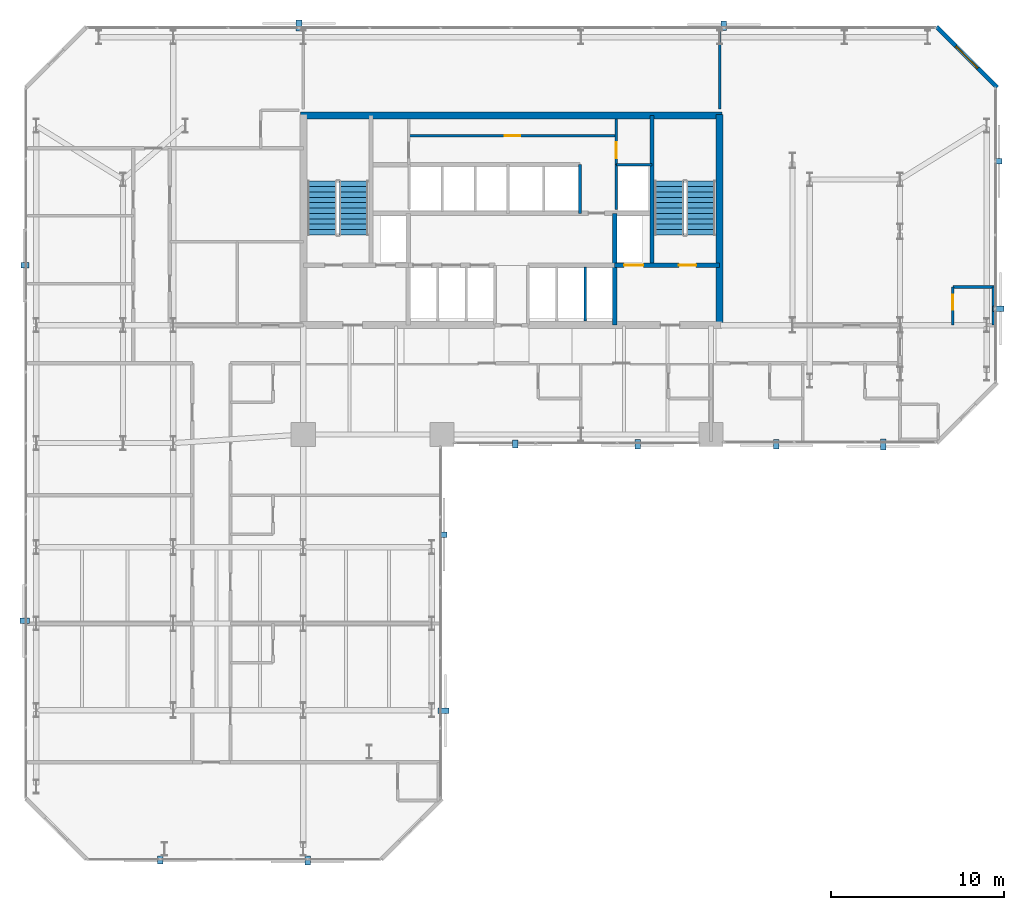
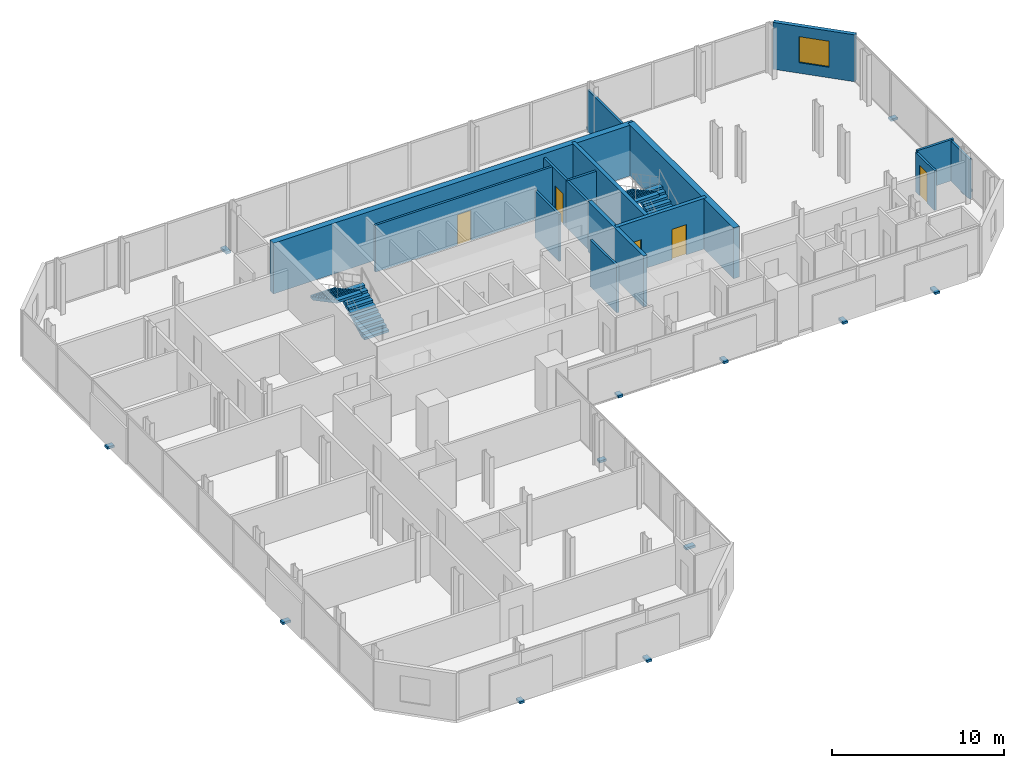
# One storey, part 31 of 33: 16 walls, 14 discrete accessories, 5 doors, 4 stair flights, 1 window, 6 openings, 2 elements without a shape of their own.
"""IFC4 building model written with IfcOpenShell, lengths in metres."""

from ifc_helpers import new_model, si_unit, direction, frame, frame_2d, origin, origin_2d, place, context, subcontext, project, spatial, polyline, rectangle, outline, extrude, material, layer, layer_set, type_object, element, fill, aggregate, save


model = new_model("IFC4")

# Units and contexts
model_context = context("Model", 3, precision=1e-05, world=origin(), true_north=direction((0.0, 1.0)))
body_context = subcontext(model_context, "Body", "Model", "MODEL_VIEW")
ifc_project = project(units=[si_unit("LENGTHUNIT", "METRE"), si_unit("AREAUNIT", "SQUARE_METRE"), si_unit("VOLUMEUNIT", "CUBIC_METRE"), si_unit("PLANEANGLEUNIT", "RADIAN"), si_unit("MASSUNIT", "GRAM", prefix="KILO")], contexts=[model_context])

# Site, building, storey
site_placement = place(None, origin())
site = spatial("IfcSite", under=ifc_project, at=site_placement, CompositionType="ELEMENT")
building_placement = place(site_placement, origin())
building = spatial("IfcBuilding", under=site, at=building_placement, Name="Catumbela Crestline Tower", CompositionType="ELEMENT")
storey_placement = place(building_placement, frame((0.0, 0.0, 58.2)))
storey = spatial("IfcBuildingStorey", under=building, at=storey_placement, Name="L14", CompositionType="ELEMENT", Elevation=58.2)

# Walls
ifc_material_1 = material(Name="Concrete C50/60", Category="concrete")
ifc_layer_1 = layer(ifc_material_1, 0.25, Name="Concrete C50/60")
ifc_layer_set_1 = layer_set([ifc_layer_1], Name="Concrete C50/60")
wall_type_1 = type_object("IfcWallType", Name="CW-250D", PredefinedType="SHEAR", material=ifc_layer_set_1)
wall_1_placement = place(storey_placement, frame((36.1, 34.25, 0.0), z_axis=(0.0, 0.0, 1.0), x_axis=(0.0, 1.0, 0.0)))
element("IfcWall", 1, at=wall_1_placement, inside=storey, type_object=wall_type_1, Name="L14 Structural Core Shear Wall EWEB", PredefinedType="SHEAR", context=body_context, shape_type="SweptSolid", body=[
    extrude(rectangle(XDim=8.65, YDim=0.25, at=frame_2d((4.325, 0.0))), origin(), (0.0, 0.0, 1.0), 3.6),
])
wall_2_placement = place(storey_placement, frame((33.95, 30.8, 0.0), z_axis=(0.0, 0.0, 1.0), x_axis=(0.0, 1.0, 0.0)))
element("IfcWall", 2, at=wall_2_placement, inside=storey, type_object=wall_type_1, Name="L14 Structural Core Shear Wall FFE", PredefinedType="SHEAR", context=body_context, shape_type="SweptSolid", body=[
    extrude(rectangle(XDim=6.45, YDim=0.25, at=frame_2d((3.225, 0.0))), origin(), (0.0, 0.0, 1.0), 3.6),
])

# Wall, openings, doors
wall_3_placement = place(storey_placement, frame((33.95, 34.25, 0.0), z_axis=(0.0, 0.0, 1.0), x_axis=(1.0, 0.0, 0.0)))
wall_3 = element("IfcWall", 3, at=wall_3_placement, inside=storey, type_object=wall_type_1, Name="L14 Structural Core Shear Wall ST2S", PredefinedType="SHEAR", context=body_context, shape_type="SweptSolid", body=[
    extrude(rectangle(XDim=6.05, YDim=0.25, at=frame_2d((3.025, 0.0))), origin(), (0.0, 0.0, 1.0), 3.6),
])
opening_1_placement = place(wall_3_placement, frame((3.7, 0.0, 0.0)))
opening_1 = element("IfcOpeningElement", 4, at=opening_1_placement, cuts=wall_3, Name="Opening DF9-100", PredefinedType="OPENING", context=body_context, shape_type="SweptSolid", body=[
    extrude(rectangle(XDim=1.0, YDim=2.15, at=frame_2d((0.5, 1.075))), frame((0.0, 0.135, 0.0), z_axis=(0.0, -1.0, 0.0), x_axis=(1.0, 0.0, 0.0)), (0.0, 0.0, 1.0), 0.27),
])
opening_2_placement = place(wall_3_placement, frame((0.55, 0.0, 0.0)))
opening_2 = element("IfcOpeningElement", 5, at=opening_2_placement, cuts=wall_3, Name="Opening LD-110", PredefinedType="OPENING", context=body_context, shape_type="SweptSolid", body=[
    extrude(rectangle(XDim=1.1, YDim=2.15, at=frame_2d((0.55, 1.075))), frame((0.0, 0.135, 0.0), z_axis=(0.0, -1.0, 0.0), x_axis=(1.0, 0.0, 0.0)), (0.0, 0.0, 1.0), 0.27),
])
ifc_material_2 = material(Name="Stainless steel EN 1.4401", Category="steel")
door_type_1 = type_object("IfcDoorType", Name="DF9-100", OperationType="NOTDEFINED", PredefinedType="DOOR", material=ifc_material_2)
door_1_placement = place(opening_1_placement, origin())
door_1 = element("IfcDoor", 6, at=door_1_placement, inside=storey, type_object=door_type_1, Name="L14 Interior Door DR-L14-ST02", OperationType="SINGLE_SWING_RIGHT", OverallHeight=2.15, OverallWidth=1.0, PredefinedType="DOOR", context=body_context, shape_type="SweptSolid", body=[
    extrude(rectangle(XDim=1.0, YDim=2.15, at=frame_2d((0.5, 1.075))), frame((0.0, 0.025, 0.0), z_axis=(0.0, -1.0, 0.0), x_axis=(1.0, 0.0, 0.0)), (0.0, 0.0, 1.0), 0.05),
])
fill(opening_1, door_1)
door_type_2 = type_object("IfcDoorType", Name="LD-110", OperationType="NOTDEFINED", PredefinedType="DOOR", material=ifc_material_2)
door_2_placement = place(opening_2_placement, origin())
door_2 = element("IfcDoor", 7, at=door_2_placement, inside=storey, type_object=door_type_2, Name="L14 Lift Landing Sliding Door FL-02", OperationType="DOUBLE_DOOR_SLIDING", OverallHeight=2.15, OverallWidth=1.1, PredefinedType="DOOR", context=body_context, shape_type="SweptSolid", body=[
    extrude(rectangle(XDim=1.1, YDim=2.15, at=frame_2d((0.55, 1.075))), frame((0.0, 0.025, 0.0), z_axis=(0.0, -1.0, 0.0), x_axis=(1.0, 0.0, 0.0)), (0.0, 0.0, 1.0), 0.05),
])
fill(opening_2, door_2)

# Walls
ifc_material_3 = material(Name="Concrete C60/75", Category="concrete")
ifc_layer_2 = layer(ifc_material_3, 0.4, Name="Concrete C60/75")
ifc_layer_set_2 = layer_set([ifc_layer_2], Name="Concrete C60/75")
wall_type_2 = type_object("IfcWallType", Name="CW-400A", PredefinedType="SHEAR", material=ifc_layer_set_2)
wall_4_placement = place(storey_placement, frame((40.0, 30.65, 0.0), z_axis=(0.0, 0.0, 1.0), x_axis=(0.0, 1.0, 0.0)))
element("IfcWall", 8, at=wall_4_placement, inside=storey, type_object=wall_type_2, Name="L14 Structural Core Shear Wall E", PredefinedType="SHEAR", context=body_context, shape_type="SweptSolid", body=[
    extrude(rectangle(XDim=12.3, YDim=0.4, at=frame_2d((6.15, 0.0))), origin(), (0.0, 0.0, 1.0), 3.6),
])
wall_5_placement = place(storey_placement, frame((15.85, 42.9, 0.0), z_axis=(0.0, 0.0, 1.0), x_axis=(1.0, 0.0, 0.0)))
element("IfcWall", 9, at=wall_5_placement, inside=storey, type_object=wall_type_2, Name="L14 Structural Core Shear Wall N", PredefinedType="SHEAR", context=body_context, shape_type="SweptSolid", body=[
    extrude(rectangle(XDim=24.3, YDim=0.4, at=frame_2d((12.15, 0.0))), origin(), (0.0, 0.0, 1.0), 3.6),
])

# Wall, opening, window
ifc_material_4 = material(Name="Angolan grey-ochre granite", Category="masonry")
ifc_layer_3 = layer(ifc_material_4, 0.25, Name="Angolan grey-ochre granite")
ifc_layer_set_3 = layer_set([ifc_layer_3], Name="Angolan grey-ochre granite")
wall_type_3 = type_object("IfcWallType", Name="WE-250", PredefinedType="STANDARD", material=ifc_layer_set_3)
wall_6_placement = place(storey_placement, frame((56.0, 44.5, 0.0), z_axis=(0.0, 0.0, 1.0), x_axis=(-0.707106781187, 0.707106781187, 0.0)))
wall_6 = element("IfcWall", 10, at=wall_6_placement, inside=storey, type_object=wall_type_3, Name="L14 Granite Punched Window Wall 6-1", PredefinedType="STANDARD", context=body_context, shape_type="SweptSolid", body=[
    extrude(rectangle(XDim=4.9497, YDim=0.25, at=frame_2d((2.4748, 0.0))), origin(), (0.0, 0.0, 1.0), 3.33),
])
opening_3_placement = place(wall_6_placement, frame((1.5749, 0.0, 0.75)))
opening_3 = element("IfcOpeningElement", 11, at=opening_3_placement, cuts=wall_6, Name="Opening WN-01", PredefinedType="OPENING", context=body_context, shape_type="SweptSolid", body=[
    extrude(rectangle(XDim=1.8, YDim=1.85, at=frame_2d((0.9, 0.925))), frame((0.0, 0.135, 0.0), z_axis=(0.0, -1.0, 0.0), x_axis=(1.0, 0.0, 0.0)), (0.0, 0.0, 1.0), 0.27),
])
ifc_material_5 = material(Name="Low-E laminated solar-control double glazing", Category="glass")
window_type = type_object("IfcWindowType", Name="WF-1800", PartitioningType="SINGLE_PANEL", PredefinedType="WINDOW", material=ifc_material_5)
window_placement = place(opening_3_placement, origin())
window = element("IfcWindow", 12, at=window_placement, inside=storey, type_object=window_type, Name="L14 Facade Vision Window 95", OverallHeight=1.85, OverallWidth=1.8, PartitioningType="SINGLE_PANEL", PredefinedType="WINDOW", context=body_context, shape_type="SweptSolid", body=[
    extrude(rectangle(XDim=1.8, YDim=1.85, at=frame_2d((0.9, 0.925))), frame((0.0, 0.03, 0.0), z_axis=(0.0, -1.0, 0.0), x_axis=(1.0, 0.0, 0.0)), (0.0, 0.0, 1.0), 0.06),
])
fill(opening_3, window)

# Wall
ifc_material_6 = material(Name="Acoustic gypsum and mineral-wool partition")
ifc_layer_4 = layer(ifc_material_6, 0.15, Name="Acoustic gypsum and mineral-wool partition")
ifc_layer_set_4 = layer_set([ifc_layer_4], Name="Acoustic gypsum and mineral-wool partition")
wall_type_4 = type_object("IfcWallType", Name="WP-150", PredefinedType="PARTITIONING", material=ifc_layer_set_4)
wall_7_placement = place(storey_placement, frame((34.05, 40.05, 0.0), z_axis=(0.0, 0.0, 1.0), x_axis=(1.0, 0.0, 0.0)))
element("IfcWall", 13, at=wall_7_placement, inside=storey, type_object=wall_type_4, Name="L14 Interior Partition PW-L14-CR-ES", PredefinedType="PARTITIONING", context=body_context, shape_type="SweptSolid", body=[
    extrude(rectangle(XDim=2.05, YDim=0.15, at=frame_2d((1.025, 0.0))), origin(), (0.0, 0.0, 1.0), 3.33),
])

# Wall, opening, door
wall_8_placement = place(storey_placement, frame((34.05, 40.05, 0.0), z_axis=(0.0, 0.0, 1.0), x_axis=(0.0, 1.0, 0.0)))
wall_8 = element("IfcWall", 14, at=wall_8_placement, inside=storey, type_object=wall_type_4, Name="L14 Interior Partition PW-L14-CR-EW", PredefinedType="PARTITIONING", context=body_context, shape_type="SweptSolid", body=[
    extrude(rectangle(XDim=2.63, YDim=0.15, at=frame_2d((1.315, 0.0))), origin(), (0.0, 0.0, 1.0), 3.33),
])
opening_4_placement = place(wall_8_placement, frame((0.385, 0.0, 0.0)))
opening_4 = element("IfcOpeningElement", 15, at=opening_4_placement, cuts=wall_8, Name="Opening DF9-090", PredefinedType="OPENING", context=body_context, shape_type="SweptSolid", body=[
    extrude(rectangle(XDim=0.9, YDim=2.15, at=frame_2d((0.45, 1.075))), frame((0.0, 0.085, 0.0), z_axis=(0.0, -1.0, 0.0), x_axis=(1.0, 0.0, 0.0)), (0.0, 0.0, 1.0), 0.17),
])
door_type_3 = type_object("IfcDoorType", Name="DF9-090", OperationType="NOTDEFINED", PredefinedType="DOOR", material=ifc_material_2)
door_3_placement = place(opening_4_placement, origin())
door_3 = element("IfcDoor", 16, at=door_3_placement, inside=storey, type_object=door_type_3, Name="L14 Interior Door DR-L14-CREAST", OperationType="SINGLE_SWING_RIGHT", OverallHeight=2.15, OverallWidth=0.9, PredefinedType="DOOR", context=body_context, shape_type="SweptSolid", body=[
    extrude(rectangle(XDim=0.9, YDim=2.15, at=frame_2d((0.45, 1.075))), frame((0.0, 0.025, 0.0), z_axis=(0.0, -1.0, 0.0), x_axis=(1.0, 0.0, 0.0)), (0.0, 0.0, 1.0), 0.05),
])
fill(opening_4, door_3)

wall_9_placement = place(storey_placement, frame((22.08, 41.72, 0.0), z_axis=(0.0, 0.0, 1.0), x_axis=(1.0, 0.0, 0.0)))
wall_9 = element("IfcWall", 17, at=wall_9_placement, inside=storey, type_object=wall_type_4, Name="L14 Interior Partition PW-L14-CR-MID", PredefinedType="PARTITIONING", context=body_context, shape_type="SweptSolid", body=[
    extrude(rectangle(XDim=11.97, YDim=0.15, at=frame_2d((5.985, 0.0))), origin(), (0.0, 0.0, 1.0), 3.33),
])
opening_5_placement = place(wall_9_placement, frame((5.535, 0.0, 0.0)))
opening_5 = element("IfcOpeningElement", 18, at=opening_5_placement, cuts=wall_9, Name="Opening DF9-090", PredefinedType="OPENING", context=body_context, shape_type="SweptSolid", body=[
    extrude(rectangle(XDim=0.9, YDim=2.15, at=frame_2d((0.45, 1.075))), frame((0.0, 0.085, 0.0), z_axis=(0.0, -1.0, 0.0), x_axis=(1.0, 0.0, 0.0)), (0.0, 0.0, 1.0), 0.17),
])
door_4_placement = place(opening_5_placement, origin())
door_4 = element("IfcDoor", 19, at=door_4_placement, inside=storey, type_object=door_type_3, Name="L14 Interior Door DR-L14-CRMID", OperationType="SINGLE_SWING_LEFT", OverallHeight=2.15, OverallWidth=0.9, PredefinedType="DOOR", context=body_context, shape_type="SweptSolid", body=[
    extrude(rectangle(XDim=0.9, YDim=2.15, at=frame_2d((0.45, 1.075))), frame((0.0, 0.025, 0.0), z_axis=(0.0, -1.0, 0.0), x_axis=(1.0, 0.0, 0.0)), (0.0, 0.0, 1.0), 0.05),
])
fill(opening_5, door_4)

# Walls
wall_10_placement = place(storey_placement, frame((40.0, 43.27, 0.0), z_axis=(0.0, 0.0, 1.0), x_axis=(0.0, 1.0, 0.0)))
element("IfcWall", 20, at=wall_10_placement, inside=storey, type_object=wall_type_4, Name="L14 Interior Partition PW-L14-NCF-E", PredefinedType="PARTITIONING", context=body_context, shape_type="SweptSolid", body=[
    extrude(rectangle(XDim=4.63, YDim=0.15, at=frame_2d((2.315, 0.0))), origin(), (0.0, 0.0, 1.0), 2.93),
])
wall_11_placement = place(storey_placement, frame((53.45, 33.0, 0.0), z_axis=(0.0, 0.0, 1.0), x_axis=(1.0, 0.0, 0.0)))
element("IfcWall", 21, at=wall_11_placement, inside=storey, type_object=wall_type_4, Name="L14 Interior Partition PW-L14-NES-BHW", PredefinedType="PARTITIONING", context=body_context, shape_type="SweptSolid", body=[
    extrude(rectangle(XDim=2.45, YDim=0.15, at=frame_2d((1.225, 0.0))), origin(), (0.0, 0.0, 1.0), 2.93),
])

# Wall, opening, door
wall_12_placement = place(storey_placement, frame((53.45, 30.8, 0.0), z_axis=(0.0, 0.0, 1.0), x_axis=(0.0, 1.0, 0.0)))
wall_12 = element("IfcWall", 22, at=wall_12_placement, inside=storey, type_object=wall_type_4, Name="L14 Interior Partition PW-L14-NES-BWW", PredefinedType="PARTITIONING", context=body_context, shape_type="SweptSolid", body=[
    extrude(rectangle(XDim=2.2, YDim=0.15, at=frame_2d((1.1, 0.0))), origin(), (0.0, 0.0, 1.0), 2.82),
])
opening_6_placement = place(wall_12_placement, frame((0.8925, 0.0, 0.0)))
opening_6 = element("IfcOpeningElement", 23, at=opening_6_placement, cuts=wall_12, Name="Opening DI-085", PredefinedType="OPENING", context=body_context, shape_type="SweptSolid", body=[
    extrude(rectangle(XDim=0.85, YDim=2.15, at=frame_2d((0.425, 1.075))), frame((0.0, 0.085, 0.0), z_axis=(0.0, -1.0, 0.0), x_axis=(1.0, 0.0, 0.0)), (0.0, 0.0, 1.0), 0.17),
])
ifc_material_7 = material(Name="Aluminium alloy AW-6060-T66", Category="aluminium")
door_type_4 = type_object("IfcDoorType", Name="DI-085", OperationType="NOTDEFINED", PredefinedType="DOOR", material=ifc_material_7)
door_5_placement = place(opening_6_placement, origin())
door_5 = element("IfcDoor", 24, at=door_5_placement, inside=storey, type_object=door_type_4, Name="L14 Interior Door DR-L14-NES-BTH", OperationType="SINGLE_SWING_RIGHT", OverallHeight=2.15, OverallWidth=0.85, PredefinedType="DOOR", context=body_context, shape_type="SweptSolid", body=[
    extrude(rectangle(XDim=0.85, YDim=2.15, at=frame_2d((0.425, 1.075))), frame((0.0, 0.025, 0.0), z_axis=(0.0, -1.0, 0.0), x_axis=(1.0, 0.0, 0.0)), (0.0, 0.0, 1.0), 0.05),
])
fill(opening_6, door_5)

# Walls
wall_13_placement = place(storey_placement, frame((55.78, 33.0, 0.0), z_axis=(0.0, 0.0, 1.0), x_axis=(0.0, -1.0, 0.0)))
element("IfcWall", 25, at=wall_13_placement, inside=storey, type_object=wall_type_4, Name="L14 Interior Partition PW-L14-NES-BCL-2", PredefinedType="PARTITIONING", context=body_context, shape_type="SweptSolid", body=[
    extrude(rectangle(XDim=2.2, YDim=0.15, at=frame_2d((1.1, 0.0))), origin(), (0.0, 0.0, 1.0), 2.82),
])
ifc_layer_5 = layer(ifc_material_6, 0.15, Name="Acoustic gypsum and mineral-wool partition")
ifc_layer_set_5 = layer_set([ifc_layer_5], Name="Acoustic gypsum and mineral-wool partition")
wall_type_5 = type_object("IfcWallType", Name="WS-150", PredefinedType="PLUMBINGWALL", material=ifc_layer_set_5)
wall_14_placement = place(storey_placement, frame((32.25, 31.05, 0.0), z_axis=(0.0, 0.0, 1.0), x_axis=(0.0, 1.0, 0.0)))
element("IfcWall", 26, at=wall_14_placement, inside=storey, type_object=wall_type_5, Name="L14 Interior Partition PW-L14-SHM2", PredefinedType="PLUMBINGWALL", context=body_context, shape_type="SweptSolid", body=[
    extrude(rectangle(XDim=3.1, YDim=0.15, at=frame_2d((1.55, 0.0))), origin(), (0.0, 0.0, 1.0), 3.33),
])
wall_15_placement = place(storey_placement, frame((31.95, 37.25, 0.0), z_axis=(0.0, 0.0, 1.0), x_axis=(0.0, 1.0, 0.0)))
element("IfcWall", 27, at=wall_15_placement, inside=storey, type_object=wall_type_5, Name="L14 Interior Partition PW-L14-SHEX2E", PredefinedType="PLUMBINGWALL", context=body_context, shape_type="SweptSolid", body=[
    extrude(rectangle(XDim=2.8, YDim=0.15, at=frame_2d((1.4, 0.0))), origin(), (0.0, 0.0, 1.0), 3.33),
])
wall_16_placement = place(storey_placement, frame((34.05, 37.4734, 0.0), z_axis=(0.0, 0.0, 1.0), x_axis=(0.0, 1.0, 0.0)))
element("IfcWall", 28, at=wall_16_placement, inside=storey, type_object=wall_type_5, Name="L14 Interior Partition PW-L14-RISW", PredefinedType="PLUMBINGWALL", context=body_context, shape_type="SweptSolid", body=[
    extrude(rectangle(XDim=2.5766, YDim=0.15, at=frame_2d((1.2883, 0.0))), origin(), (0.0, 0.0, 1.0), 3.33),
])

# Stair, stair flights
ifc_material_8 = material(Name="Concrete C45/55", Category="concrete")
stair_type = type_object("IfcStairType", Name="ST-DLG", PredefinedType="HALF_TURN_STAIR", material=ifc_material_8)
stair_1_placement = place(storey_placement, origin())
stair_1 = element("IfcStair", 29, at=stair_1_placement, inside=storey, type_object=stair_type, Name="L14 West Core Pressurised Exit Stair ST-01", PredefinedType="HALF_TURN_STAIR")
stair_flight_type = type_object("IfcStairFlightType", Name="SF-1636", PredefinedType="STRAIGHT", material=ifc_material_8)
stair_flight_1_placement = place(storey_placement, frame((18.92, 36.0, 0.0), z_axis=(0.0, 0.0, 1.0), x_axis=(0.0, 1.0, 0.0)))
stair_flight_1 = element("IfcStairFlight", 30, at=stair_flight_1_placement, type_object=stair_flight_type, Name="ST-01 flight 1", NumberOfRisers=11, NumberOfTreads=10, PredefinedType="STRAIGHT", RiserHeight=0.163636364, TreadLength=0.31, context=body_context, shape_type="SweptSolid", body=[
    extrude(outline(polyline([(0.0, 0.0), (0.0, 0.1636), (0.31, 0.1636), (0.31, 0.3273), (0.62, 0.3273), (0.62, 0.4909), (0.93, 0.4909), (0.93, 0.6545), (1.24, 0.6545), (1.24, 0.8182), (1.55, 0.8182), (1.55, 0.9818), (1.86, 0.9818), (1.86, 1.1455), (2.17, 1.1455), (2.17, 1.3091), (2.48, 1.3091), (2.48, 1.4727), (2.79, 1.4727), (2.79, 1.6364), (3.1, 1.6364), (3.1, 1.8), (3.1, 1.4554), (0.3427, 0.0), (0.0, 0.0)])), frame((0.0, 0.83, 0.0), z_axis=(0.0, -1.0, 0.0), x_axis=(1.0, 0.0, 0.0)), (0.0, 0.0, 1.0), 1.66),
])
stair_flight_2_placement = place(storey_placement, frame((17.08, 39.1, 1.8), z_axis=(0.0, 0.0, 1.0), x_axis=(0.0, -1.0, 0.0)))
stair_flight_2 = element("IfcStairFlight", 31, at=stair_flight_2_placement, type_object=stair_flight_type, Name="ST-01 flight 2", NumberOfRisers=11, NumberOfTreads=10, PredefinedType="STRAIGHT", RiserHeight=0.163636364, TreadLength=0.31, context=body_context, shape_type="SweptSolid", body=[
    extrude(outline(polyline([(0.0, 0.0), (0.0, 0.1636), (0.31, 0.1636), (0.31, 0.3273), (0.62, 0.3273), (0.62, 0.4909), (0.93, 0.4909), (0.93, 0.6545), (1.24, 0.6545), (1.24, 0.8182), (1.55, 0.8182), (1.55, 0.9818), (1.86, 0.9818), (1.86, 1.1455), (2.17, 1.1455), (2.17, 1.3091), (2.48, 1.3091), (2.48, 1.4727), (2.79, 1.4727), (2.79, 1.6364), (3.1, 1.6364), (3.1, 1.8), (3.1, 1.4554), (0.3427, 0.0), (0.0, 0.0)])), frame((0.0, 0.83, 0.0), z_axis=(0.0, -1.0, 0.0), x_axis=(1.0, 0.0, 0.0)), (0.0, 0.0, 1.0), 1.66),
])
aggregate(stair_1, [stair_flight_1, stair_flight_2])

stair_2_placement = place(storey_placement, origin())
stair_2 = element("IfcStair", 32, at=stair_2_placement, inside=storey, type_object=stair_type, Name="L14 East Core Pressurised Exit Stair ST-02", PredefinedType="HALF_TURN_STAIR")
stair_flight_3_placement = place(storey_placement, frame((38.92, 36.0, 0.0), z_axis=(0.0, 0.0, 1.0), x_axis=(0.0, 1.0, 0.0)))
stair_flight_3 = element("IfcStairFlight", 33, at=stair_flight_3_placement, type_object=stair_flight_type, Name="ST-02 flight 1", NumberOfRisers=11, NumberOfTreads=10, PredefinedType="STRAIGHT", RiserHeight=0.163636364, TreadLength=0.31, context=body_context, shape_type="SweptSolid", body=[
    extrude(outline(polyline([(0.0, 0.0), (0.0, 0.1636), (0.31, 0.1636), (0.31, 0.3273), (0.62, 0.3273), (0.62, 0.4909), (0.93, 0.4909), (0.93, 0.6545), (1.24, 0.6545), (1.24, 0.8182), (1.55, 0.8182), (1.55, 0.9818), (1.86, 0.9818), (1.86, 1.1455), (2.17, 1.1455), (2.17, 1.3091), (2.48, 1.3091), (2.48, 1.4727), (2.79, 1.4727), (2.79, 1.6364), (3.1, 1.6364), (3.1, 1.8), (3.1, 1.4554), (0.3427, 0.0), (0.0, 0.0)])), frame((0.0, 0.83, 0.0), z_axis=(0.0, -1.0, 0.0), x_axis=(1.0, 0.0, 0.0)), (0.0, 0.0, 1.0), 1.66),
])
stair_flight_4_placement = place(storey_placement, frame((37.08, 39.1, 1.8), z_axis=(0.0, 0.0, 1.0), x_axis=(0.0, -1.0, 0.0)))
stair_flight_4 = element("IfcStairFlight", 34, at=stair_flight_4_placement, type_object=stair_flight_type, Name="ST-02 flight 2", NumberOfRisers=11, NumberOfTreads=10, PredefinedType="STRAIGHT", RiserHeight=0.163636364, TreadLength=0.31, context=body_context, shape_type="SweptSolid", body=[
    extrude(outline(polyline([(0.0, 0.0), (0.0, 0.1636), (0.31, 0.1636), (0.31, 0.3273), (0.62, 0.3273), (0.62, 0.4909), (0.93, 0.4909), (0.93, 0.6545), (1.24, 0.6545), (1.24, 0.8182), (1.55, 0.8182), (1.55, 0.9818), (1.86, 0.9818), (1.86, 1.1455), (2.17, 1.1455), (2.17, 1.3091), (2.48, 1.3091), (2.48, 1.4727), (2.79, 1.4727), (2.79, 1.6364), (3.1, 1.6364), (3.1, 1.8), (3.1, 1.4554), (0.3427, 0.0), (0.0, 0.0)])), frame((0.0, 0.83, 0.0), z_axis=(0.0, -1.0, 0.0), x_axis=(1.0, 0.0, 0.0)), (0.0, 0.0, 1.0), 1.66),
])
aggregate(stair_2, [stair_flight_3, stair_flight_4])

# Discrete accessories
discrete_accessory_type = type_object("IfcDiscreteAccessoryType", Name="BK-SS1", PredefinedType="BRACKET", material=ifc_material_2)
discrete_accessory_1_placement = place(storey_placement, frame((7.75, -0.045, -0.18), z_axis=(0.0, 0.0, 1.0), x_axis=(1.0, 0.0, 0.0)))
element("IfcDiscreteAccessory", 35, at=discrete_accessory_1_placement, inside=storey, type_object=discrete_accessory_type, Name="L14 Solar Screen Stainless Bracket 127", PredefinedType="BRACKET", context=body_context, shape_type="SweptSolid", body=[
    extrude(rectangle(XDim=0.32, YDim=0.46, at=origin_2d()), origin(), (0.0, 0.0, 1.0), 0.16),
])
discrete_accessory_2_placement = place(storey_placement, frame((16.25, -0.065, -0.18), z_axis=(0.0, 0.0, 1.0), x_axis=(1.0, 0.0, 0.0)))
element("IfcDiscreteAccessory", 36, at=discrete_accessory_2_placement, inside=storey, type_object=discrete_accessory_type, Name="L14 Solar Screen Stainless Bracket 128", PredefinedType="BRACKET", context=body_context, shape_type="SweptSolid", body=[
    extrude(rectangle(XDim=0.32, YDim=0.54, at=origin_2d()), origin(), (0.0, 0.0, 1.0), 0.16),
])
discrete_accessory_3_placement = place(storey_placement, frame((24.085, 8.575, -0.18), z_axis=(0.0, 0.0, 1.0), x_axis=(0.0, 1.0, 0.0)))
element("IfcDiscreteAccessory", 37, at=discrete_accessory_3_placement, inside=storey, type_object=discrete_accessory_type, Name="L14 Solar Screen Stainless Bracket 129", PredefinedType="BRACKET", context=body_context, shape_type="SweptSolid", body=[
    extrude(rectangle(XDim=0.32, YDim=0.62, at=origin_2d()), origin(), (0.0, 0.0, 1.0), 0.16),
])
for number, where, z_axis, x_axis, name in (
    (38, (24.045, 18.725, -0.18), (0.0, 0.0, 1.0), (0.0, 1.0, 0.0), "L14 Solar Screen Stainless Bracket 130"),
    (39, (28.225, 23.955, -0.18), (0.0, 0.0, 1.0), (1.0, 0.0, 0.0), "L14 Solar Screen Stainless Bracket 131"),
):
    element("IfcDiscreteAccessory", number, at=place(storey_placement, frame(where, z_axis=z_axis, x_axis=x_axis)), inside=storey, type_object=discrete_accessory_type, Name=name, PredefinedType="BRACKET", context=body_context, shape_type="SweptSolid", body=[
        extrude(rectangle(XDim=0.32, YDim=0.46, at=origin_2d()), origin(), (0.0, 0.0, 1.0), 0.16),
    ])
for number, where, z_axis, x_axis, name in (
    (40, (35.275, 23.935, -0.18), (0.0, 0.0, 1.0), (1.0, 0.0, 0.0), "L14 Solar Screen Stainless Bracket 132"),
    (41, (43.275, 23.935, -0.18), (0.0, 0.0, 1.0), (1.0, 0.0, 0.0), "L14 Solar Screen Stainless Bracket 133"),
):
    element("IfcDiscreteAccessory", number, at=place(storey_placement, frame(where, z_axis=z_axis, x_axis=x_axis)), inside=storey, type_object=discrete_accessory_type, Name=name, PredefinedType="BRACKET", context=body_context, shape_type="SweptSolid", body=[
        extrude(rectangle(XDim=0.32, YDim=0.54, at=origin_2d()), origin(), (0.0, 0.0, 1.0), 0.16),
    ])
for number, where, z_axis, x_axis, name in (
    (42, (49.425, 23.915, -0.18), (0.0, 0.0, 1.0), (1.0, 0.0, 0.0), "L14 Solar Screen Stainless Bracket 134"),
    (43, (56.085, 31.75, -0.18), (0.0, 0.0, 1.0), (0.0, 1.0, 0.0), "L14 Solar Screen Stainless Bracket 135"),
):
    element("IfcDiscreteAccessory", number, at=place(storey_placement, frame(where, z_axis=z_axis, x_axis=x_axis)), inside=storey, type_object=discrete_accessory_type, Name=name, PredefinedType="BRACKET", context=body_context, shape_type="SweptSolid", body=[
        extrude(rectangle(XDim=0.32, YDim=0.62, at=origin_2d()), origin(), (0.0, 0.0, 1.0), 0.16),
    ])
discrete_accessory_4_placement = place(storey_placement, frame((56.045, 40.25, -0.18), z_axis=(0.0, 0.0, 1.0), x_axis=(0.0, 1.0, 0.0)))
element("IfcDiscreteAccessory", 44, at=discrete_accessory_4_placement, inside=storey, type_object=discrete_accessory_type, Name="L14 Solar Screen Stainless Bracket 136", PredefinedType="BRACKET", context=body_context, shape_type="SweptSolid", body=[
    extrude(rectangle(XDim=0.32, YDim=0.46, at=origin_2d()), origin(), (0.0, 0.0, 1.0), 0.16),
])
discrete_accessory_5_placement = place(storey_placement, frame((40.25, 48.065, -0.18), z_axis=(0.0, 0.0, 1.0), x_axis=(-1.0, 0.0, 0.0)))
element("IfcDiscreteAccessory", 45, at=discrete_accessory_5_placement, inside=storey, type_object=discrete_accessory_type, Name="L14 Solar Screen Stainless Bracket 137", PredefinedType="BRACKET", context=body_context, shape_type="SweptSolid", body=[
    extrude(rectangle(XDim=0.32, YDim=0.54, at=origin_2d()), origin(), (0.0, 0.0, 1.0), 0.16),
])
discrete_accessory_6_placement = place(storey_placement, frame((15.75, 48.085, -0.18), z_axis=(0.0, 0.0, 1.0), x_axis=(-1.0, 0.0, 0.0)))
element("IfcDiscreteAccessory", 46, at=discrete_accessory_6_placement, inside=storey, type_object=discrete_accessory_type, Name="L14 Solar Screen Stainless Bracket 138", PredefinedType="BRACKET", context=body_context, shape_type="SweptSolid", body=[
    extrude(rectangle(XDim=0.32, YDim=0.62, at=origin_2d()), origin(), (0.0, 0.0, 1.0), 0.16),
])
discrete_accessory_7_placement = place(storey_placement, frame((-0.045, 34.25, -0.18), z_axis=(0.0, 0.0, 1.0), x_axis=(0.0, -1.0, 0.0)))
element("IfcDiscreteAccessory", 47, at=discrete_accessory_7_placement, inside=storey, type_object=discrete_accessory_type, Name="L14 Solar Screen Stainless Bracket 139", PredefinedType="BRACKET", context=body_context, shape_type="SweptSolid", body=[
    extrude(rectangle(XDim=0.32, YDim=0.46, at=origin_2d()), origin(), (0.0, 0.0, 1.0), 0.16),
])
discrete_accessory_8_placement = place(storey_placement, frame((-0.065, 13.75, -0.18), z_axis=(0.0, 0.0, 1.0), x_axis=(0.0, -1.0, 0.0)))
element("IfcDiscreteAccessory", 48, at=discrete_accessory_8_placement, inside=storey, type_object=discrete_accessory_type, Name="L14 Solar Screen Stainless Bracket 140", PredefinedType="BRACKET", context=body_context, shape_type="SweptSolid", body=[
    extrude(rectangle(XDim=0.32, YDim=0.54, at=origin_2d()), origin(), (0.0, 0.0, 1.0), 0.16),
])

save(model, "model.ifc")
